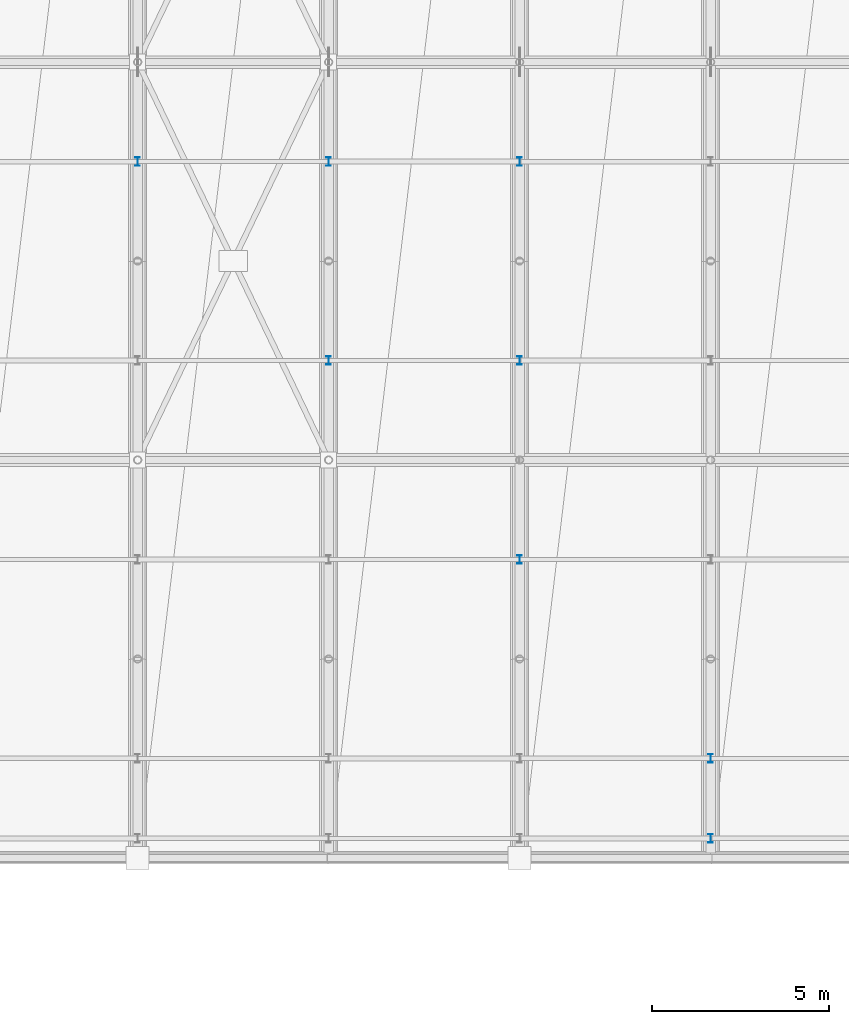
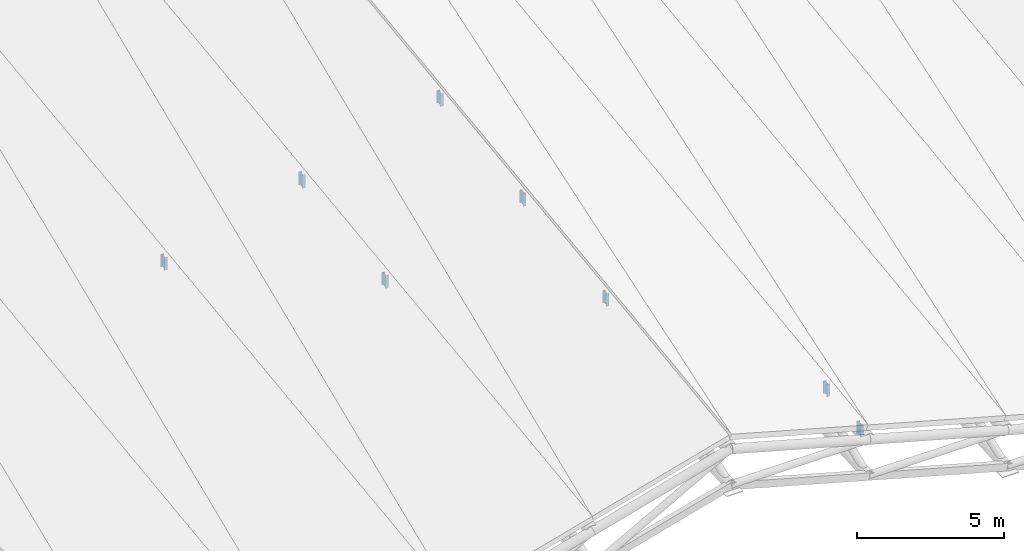
# One storey, part 55 of 109: 8 members.
"""IFC4 building model written with IfcOpenShell, lengths in metres."""

from ifc_helpers import new_model, si_unit, direction, frame, origin, origin_2d, place, context, subcontext, project, spatial, i_section, extrude, material, material_profile, profile_set, type_object, element, save


model = new_model("IFC4")

# Units and contexts
model_context = context("Model", 3, precision=1e-05, world=origin(), true_north=direction((0.0, 1.0)))
body_context = subcontext(model_context, "Body", "Model", "MODEL_VIEW")
ifc_project = project(units=[si_unit("LENGTHUNIT", "METRE"), si_unit("AREAUNIT", "SQUARE_METRE"), si_unit("VOLUMEUNIT", "CUBIC_METRE"), si_unit("PLANEANGLEUNIT", "RADIAN"), si_unit("MASSUNIT", "GRAM", prefix="KILO")], contexts=[model_context])

# Site, building, storey
site_placement = place(None, origin())
site = spatial("IfcSite", under=ifc_project, at=site_placement, CompositionType="ELEMENT")
building_placement = place(site_placement, origin())
building = spatial("IfcBuilding", under=site, at=building_placement, Name="Suirenkawa Promenade Aquatics Centre", CompositionType="ELEMENT")
storey_placement = place(building_placement, frame((0.0, 0.0, 22.800048828125)))
storey = spatial("IfcBuildingStorey", under=building, at=storey_placement, Name="ROOF", CompositionType="ELEMENT", Elevation=22.800048828125)

# Members
ifc_material = material(Name="Steel IS 2062 E350 (Grade 350)", Category="steel")
ifc_material_profile = material_profile(ifc_material, i_section(OverallWidth=0.125, OverallDepth=0.25, WebThickness=0.007080078125, FlangeThickness=0.012939453125, at=origin_2d()), Name="ISMB 250", Category="steel")
ifc_profile_set = profile_set([ifc_material_profile], Name="Steel IS 2062 E350 (Grade 350)")
member_type = type_object("IfcMemberType", Name="MT-WEB-CHS168", PredefinedType="BRACE", material=ifc_profile_set)
for number, where, z_axis, x_axis, name in (
    (1, (57.60009765625, 70.087890625, -9.68212890625), (0.0, 0.0, 1.0), (1.0, 0.0, 0.0), "ROOF TRUSS Purlin cleat post TD-03 MB-1732"),
    (2, (63.0, 64.462890625, -8.906982421875), (0.0, 0.0, 1.0), (1.0, 0.0, 0.0), "ROOF TRUSS Purlin cleat post TD-03 MB-1766"),
):
    element("IfcMember", number, at=place(storey_placement, frame(where, z_axis=z_axis, x_axis=x_axis)), inside=storey, type_object=member_type, Name=name, PredefinedType="BRACE", context=body_context, shape_type="SweptSolid", body=[
        extrude(i_section(OverallWidth=0.125, OverallDepth=0.25, WebThickness=0.007080078125, FlangeThickness=0.012939453125, at=origin_2d()), origin(), (0.0, 0.0, 1.0), 0.52099609375),
    ])
member_1_placement = place(storey_placement, frame((63.0, 70.087890625, -8.18212890625), z_axis=(0.0, 0.0, 1.0), x_axis=(1.0, 0.0, 0.0)))
element("IfcMember", 3, at=member_1_placement, inside=storey, type_object=member_type, Name="ROOF TRUSS Purlin cleat post TD-03 MB-1768", PredefinedType="BRACE", context=body_context, shape_type="SweptSolid", body=[
    extrude(i_section(OverallWidth=0.125, OverallDepth=0.25, WebThickness=0.007080078125, FlangeThickness=0.012939453125, at=origin_2d()), origin(), (0.0, 0.0, 1.0), 0.546142578125),
])
member_2_placement = place(storey_placement, frame((68.39990234375, 58.8369140625, -8.133056640625), z_axis=(0.0, 0.0, 1.0), x_axis=(1.0, 0.0, 0.0)))
element("IfcMember", 4, at=member_2_placement, inside=storey, type_object=member_type, Name="ROOF TRUSS Purlin cleat post TD-03 MB-1800", PredefinedType="BRACE", context=body_context, shape_type="SweptSolid", body=[
    extrude(i_section(OverallWidth=0.125, OverallDepth=0.25, WebThickness=0.007080078125, FlangeThickness=0.012939453125, at=origin_2d()), origin(), (0.0, 0.0, 1.0), 0.52099609375),
])
member_3_placement = place(storey_placement, frame((68.39990234375, 64.462890625, -7.406982421875), z_axis=(0.0, 0.0, 1.0), x_axis=(1.0, 0.0, 0.0)))
element("IfcMember", 5, at=member_3_placement, inside=storey, type_object=member_type, Name="ROOF TRUSS Purlin cleat post TD-03 MB-1802", PredefinedType="BRACE", context=body_context, shape_type="SweptSolid", body=[
    extrude(i_section(OverallWidth=0.125, OverallDepth=0.25, WebThickness=0.007080078125, FlangeThickness=0.012939453125, at=origin_2d()), origin(), (0.0, 0.0, 1.0), 0.5458984375),
])
for number, where, z_axis, x_axis, name in (
    (6, (68.39990234375, 70.087890625, -6.68212890625), (0.0, 0.0, 1.0), (1.0, 0.0, 0.0), "ROOF TRUSS Purlin cleat post TD-03 MB-1804"),
    (7, (73.800048828125, 50.949951171875, -10.649169921875), (0.0, 0.0, 1.0), (1.0, 0.0, 0.0), "ROOF TRUSS Purlin cleat post TD-03 MB-1832"),
):
    element("IfcMember", number, at=place(storey_placement, frame(where, z_axis=z_axis, x_axis=x_axis)), inside=storey, type_object=member_type, Name=name, PredefinedType="BRACE", context=body_context, shape_type="SweptSolid", body=[
        extrude(i_section(OverallWidth=0.125, OverallDepth=0.25, WebThickness=0.007080078125, FlangeThickness=0.012939453125, at=origin_2d()), origin(), (0.0, 0.0, 1.0), 0.51904296875),
    ])
member_4_placement = place(storey_placement, frame((73.800048828125, 53.2119140625, -10.358154296875), z_axis=(0.0, 0.0, 1.0), x_axis=(1.0, 0.0, 0.0)))
element("IfcMember", 8, at=member_4_placement, inside=storey, type_object=member_type, Name="ROOF TRUSS Purlin cleat post TD-03 MB-1834", PredefinedType="BRACE", context=body_context, shape_type="SweptSolid", body=[
    extrude(i_section(OverallWidth=0.125, OverallDepth=0.25, WebThickness=0.007080078125, FlangeThickness=0.012939453125, at=origin_2d()), origin(), (0.0, 0.0, 1.0), 0.52099609375),
])

save(model, "model.ifc")
